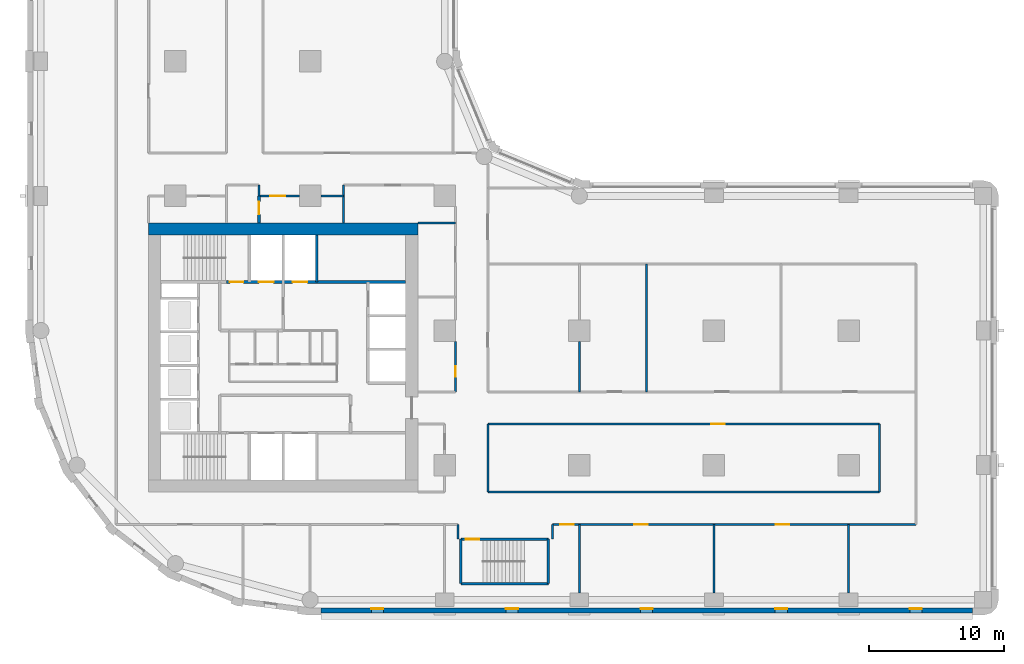
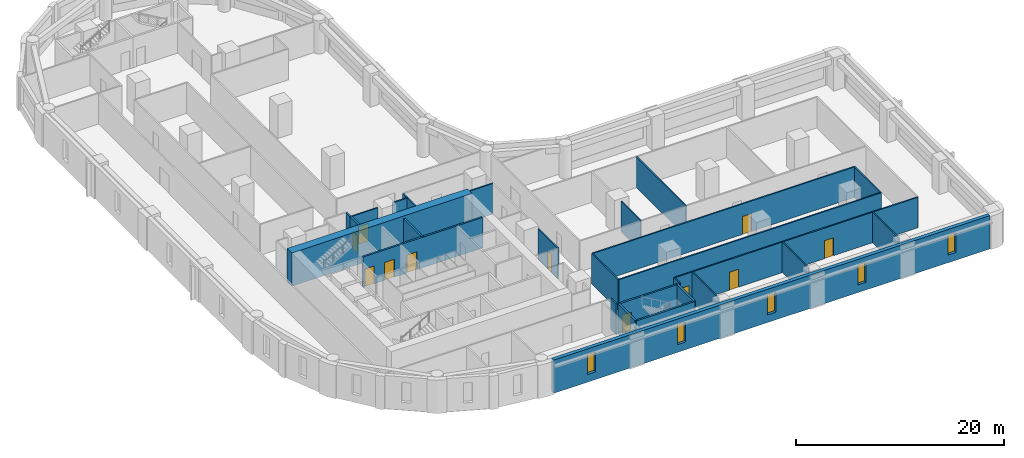
# One storey, part 4 of 11: 27 walls, 11 doors, 5 windows, 16 openings.
"""IFC4 building model written with IfcOpenShell, lengths in metres."""

from ifc_helpers import new_model, si_unit, direction, frame, frame_2d, origin, place, context, subcontext, project, spatial, rectangle, extrude, material, layer, layer_set, type_object, element, fill, save


model = new_model("IFC4")

# Units and contexts
model_context = context("Model", 3, precision=1e-05, world=origin(), true_north=direction((0.0, 1.0)))
body_context = subcontext(model_context, "Body", "Model", "MODEL_VIEW")
ifc_project = project(units=[si_unit("LENGTHUNIT", "METRE"), si_unit("AREAUNIT", "SQUARE_METRE"), si_unit("VOLUMEUNIT", "CUBIC_METRE"), si_unit("PLANEANGLEUNIT", "RADIAN"), si_unit("MASSUNIT", "GRAM", prefix="KILO")], contexts=[model_context])

# Site, building, storey
site_placement = place(None, origin())
site = spatial("IfcSite", under=ifc_project, at=site_placement, CompositionType="ELEMENT")
building_placement = place(site_placement, origin())
building = spatial("IfcBuilding", under=site, at=building_placement, Name="Qaws Garden Tower", CompositionType="ELEMENT")
storey_placement = place(building_placement, frame((0.0, 0.0, 86.10009765625)))
storey = spatial("IfcBuildingStorey", under=building, at=storey_placement, Name="L21", CompositionType="ELEMENT", Elevation=86.10009765625)

# Wall, opening, door
ifc_material_1 = material(Name="Blockwork", Category="masonry")
ifc_layer_1 = layer(ifc_material_1, 0.199951171875)
ifc_layer_set_1 = layer_set([ifc_layer_1], Name="Blockwork")
wall_type_1 = type_object("IfcWallType", Name="BLOCK WALL 200 EI 60", PredefinedType="PARTITIONING", material=ifc_layer_set_1)
wall_1_placement = place(storey_placement, frame((16.199951171875, 28.0, 0.0), z_axis=(0.0, 0.0, 1.0), x_axis=(0.0, 1.0, 0.0)))
wall_1 = element("IfcWall", 1, at=wall_1_placement, inside=storey, type_object=wall_type_1, Name="O-L21-wall-060", PredefinedType="PARTITIONING", context=body_context, shape_type="SweptSolid", body=[
    extrude(rectangle(XDim=2.0, YDim=0.199951171875, at=frame_2d((1.0, 0.0))), origin(), (0.0, 0.0, 1.0), 3.579833984375),
])
opening_1_placement = place(wall_1_placement, frame((0.625, 0.0, 0.0)))
opening_1 = element("IfcOpeningElement", 2, at=opening_1_placement, cuts=wall_1, Name="Opening A726", PredefinedType="OPENING", context=body_context, shape_type="SweptSolid", body=[
    extrude(rectangle(XDim=0.949951171875, YDim=2.10009765625, at=frame_2d((0.47509765625, 1.050048828125))), frame((0.0, 0.10986328125, 0.0), z_axis=(0.0, -1.0, 0.0), x_axis=(1.0, 0.0, 0.0)), (0.0, 0.0, 1.0), 0.219970703125),
])
ifc_material_2 = material(Name="Timber and glass door leaf", Category="wood")
door_type_1 = type_object("IfcDoorType", Name="GLAZED DOOR 950 X 2100", OperationType="SINGLE_SWING_LEFT", PredefinedType="DOOR", material=ifc_material_2)
door_1_placement = place(opening_1_placement, origin())
door_1 = element("IfcDoor", 3, at=door_1_placement, inside=storey, type_object=door_type_1, Name="O-L21-door-026", OperationType="SINGLE_SWING_LEFT", OverallHeight=2.10009765625, OverallWidth=0.949951171875, PredefinedType="DOOR", context=body_context, shape_type="SweptSolid", body=[
    extrude(rectangle(XDim=0.949951171875, YDim=2.10009765625, at=frame_2d((0.47509765625, 1.050048828125))), frame((0.0, 0.02490234375, 0.0), z_axis=(0.0, -1.0, 0.0), x_axis=(1.0, 0.0, 0.0)), (0.0, 0.0, 1.0), 0.050048828125),
])
fill(opening_1, door_1)

# Wall, openings, windows
ifc_material_3 = material(Name="Clay facing brick masonry", Category="masonry")
ifc_layer_2 = layer(ifc_material_3, 0.39990234375)
ifc_layer_set_2 = layer_set([ifc_layer_2], Name="Clay facing brick masonry")
wall_type_2 = type_object("IfcWallType", Name="Brick infill wall 400", PredefinedType="SOLIDWALL", material=ifc_layer_set_2)
wall_2_placement = place(storey_placement, frame((20.800048828125, -0.800048828125, 0.0), z_axis=(0.0, 0.0, 1.0), x_axis=(1.0, 0.0, 0.0)))
wall_2 = element("IfcWall", 4, at=wall_2_placement, inside=storey, type_object=wall_type_2, Name="E-L21-infill-00", PredefinedType="SOLIDWALL", context=body_context, shape_type="SweptSolid", body=[
    extrude(rectangle(XDim=48.39990234375, YDim=0.39990234375, at=frame_2d((24.199951171875, 0.0))), origin(), (0.0, 0.0, 1.0), 3.89990234375),
])
opening_2_placement = place(wall_2_placement, frame((3.75, 0.0, 0.89990234375)))
opening_2 = element("IfcOpeningElement", 5, at=opening_2_placement, cuts=wall_2, Name="Opening W09", PredefinedType="OPENING", context=body_context, shape_type="SweptSolid", body=[
    extrude(rectangle(XDim=0.89990234375, YDim=2.35009765625, at=frame_2d((0.449951171875, 1.175048828125))), frame((0.0, 0.2099609375, 0.0), z_axis=(0.0, -1.0, 0.0), x_axis=(1.0, 0.0, 0.0)), (0.0, 0.0, 1.0), 0.419921875),
])
opening_3_placement = place(wall_2_placement, frame((13.75, 0.0, 0.89990234375)))
opening_3 = element("IfcOpeningElement", 6, at=opening_3_placement, cuts=wall_2, Name="Opening W09", PredefinedType="OPENING", context=body_context, shape_type="SweptSolid", body=[
    extrude(rectangle(XDim=0.89990234375, YDim=2.35009765625, at=frame_2d((0.449951171875, 1.175048828125))), frame((0.0, 0.2099609375, 0.0), z_axis=(0.0, -1.0, 0.0), x_axis=(1.0, 0.0, 0.0)), (0.0, 0.0, 1.0), 0.419921875),
])
opening_4_placement = place(wall_2_placement, frame((23.75, 0.0, 0.89990234375)))
opening_4 = element("IfcOpeningElement", 7, at=opening_4_placement, cuts=wall_2, Name="Opening W09", PredefinedType="OPENING", context=body_context, shape_type="SweptSolid", body=[
    extrude(rectangle(XDim=0.89990234375, YDim=2.35009765625, at=frame_2d((0.449951171875, 1.175048828125))), frame((0.0, 0.2099609375, 0.0), z_axis=(0.0, -1.0, 0.0), x_axis=(1.0, 0.0, 0.0)), (0.0, 0.0, 1.0), 0.419921875),
])
opening_5_placement = place(wall_2_placement, frame((33.75, 0.0, 0.89990234375)))
opening_5 = element("IfcOpeningElement", 8, at=opening_5_placement, cuts=wall_2, Name="Opening W09", PredefinedType="OPENING", context=body_context, shape_type="SweptSolid", body=[
    extrude(rectangle(XDim=0.89990234375, YDim=2.35009765625, at=frame_2d((0.449951171875, 1.175048828125))), frame((0.0, 0.2099609375, 0.0), z_axis=(0.0, -1.0, 0.0), x_axis=(1.0, 0.0, 0.0)), (0.0, 0.0, 1.0), 0.419921875),
])
opening_6_placement = place(wall_2_placement, frame((43.75, 0.0, 0.89990234375)))
opening_6 = element("IfcOpeningElement", 9, at=opening_6_placement, cuts=wall_2, Name="Opening W09", PredefinedType="OPENING", context=body_context, shape_type="SweptSolid", body=[
    extrude(rectangle(XDim=0.89990234375, YDim=2.35009765625, at=frame_2d((0.449951171875, 1.175048828125))), frame((0.0, 0.2099609375, 0.0), z_axis=(0.0, -1.0, 0.0), x_axis=(1.0, 0.0, 0.0)), (0.0, 0.0, 1.0), 0.419921875),
])
ifc_material_4 = material(Name="Aluminium framed window, clear glazing", Category="aluminium")
window_type = type_object("IfcWindowType", Name="Slit window 900 x 2350", PartitioningType="SINGLE_PANEL", PredefinedType="WINDOW", material=ifc_material_4)
window_1_placement = place(opening_2_placement, origin())
window_1 = element("IfcWindow", 10, at=window_1_placement, inside=storey, type_object=window_type, Name="E-L21-window-00-0", OverallHeight=2.35009765625, OverallWidth=0.89990234375, PartitioningType="SINGLE_PANEL", PredefinedType="WINDOW", context=body_context, shape_type="SweptSolid", body=[
    extrude(rectangle(XDim=0.89990234375, YDim=2.35009765625, at=frame_2d((0.449951171875, 1.175048828125))), frame((0.0, 0.159912109375, 0.0), z_axis=(0.0, -1.0, 0.0), x_axis=(1.0, 0.0, 0.0)), (0.0, 0.0, 1.0), 0.06005859375),
])
fill(opening_2, window_1)
window_2_placement = place(opening_3_placement, origin())
window_2 = element("IfcWindow", 11, at=window_2_placement, inside=storey, type_object=window_type, Name="E-L21-window-01-0", OverallHeight=2.35009765625, OverallWidth=0.89990234375, PartitioningType="SINGLE_PANEL", PredefinedType="WINDOW", context=body_context, shape_type="SweptSolid", body=[
    extrude(rectangle(XDim=0.89990234375, YDim=2.35009765625, at=frame_2d((0.449951171875, 1.175048828125))), frame((0.0, 0.159912109375, 0.0), z_axis=(0.0, -1.0, 0.0), x_axis=(1.0, 0.0, 0.0)), (0.0, 0.0, 1.0), 0.06005859375),
])
fill(opening_3, window_2)
window_3_placement = place(opening_4_placement, origin())
window_3 = element("IfcWindow", 12, at=window_3_placement, inside=storey, type_object=window_type, Name="E-L21-window-02-0", OverallHeight=2.35009765625, OverallWidth=0.89990234375, PartitioningType="SINGLE_PANEL", PredefinedType="WINDOW", context=body_context, shape_type="SweptSolid", body=[
    extrude(rectangle(XDim=0.89990234375, YDim=2.35009765625, at=frame_2d((0.449951171875, 1.175048828125))), frame((0.0, 0.159912109375, 0.0), z_axis=(0.0, -1.0, 0.0), x_axis=(1.0, 0.0, 0.0)), (0.0, 0.0, 1.0), 0.06005859375),
])
fill(opening_4, window_3)
window_4_placement = place(opening_5_placement, origin())
window_4 = element("IfcWindow", 13, at=window_4_placement, inside=storey, type_object=window_type, Name="E-L21-window-03-0", OverallHeight=2.35009765625, OverallWidth=0.89990234375, PartitioningType="SINGLE_PANEL", PredefinedType="WINDOW", context=body_context, shape_type="SweptSolid", body=[
    extrude(rectangle(XDim=0.89990234375, YDim=2.35009765625, at=frame_2d((0.449951171875, 1.175048828125))), frame((0.0, 0.159912109375, 0.0), z_axis=(0.0, -1.0, 0.0), x_axis=(1.0, 0.0, 0.0)), (0.0, 0.0, 1.0), 0.06005859375),
])
fill(opening_5, window_4)
window_5_placement = place(opening_6_placement, origin())
window_5 = element("IfcWindow", 14, at=window_5_placement, inside=storey, type_object=window_type, Name="E-L21-window-04-0", OverallHeight=2.35009765625, OverallWidth=0.89990234375, PartitioningType="SINGLE_PANEL", PredefinedType="WINDOW", context=body_context, shape_type="SweptSolid", body=[
    extrude(rectangle(XDim=0.89990234375, YDim=2.35009765625, at=frame_2d((0.449951171875, 1.175048828125))), frame((0.0, 0.159912109375, 0.0), z_axis=(0.0, -1.0, 0.0), x_axis=(1.0, 0.0, 0.0)), (0.0, 0.0, 1.0), 0.06005859375),
])
fill(opening_6, window_5)

# Wall
ifc_material_5 = material(Name="Concrete C80", Category="concrete")
ifc_layer_3 = layer(ifc_material_5, 0.199951171875)
ifc_layer_set_3 = layer_set([ifc_layer_3], Name="Concrete C80")
wall_type_3 = type_object("IfcWallType", Name="Core shaft wall 200 C80", PredefinedType="SHEAR", material=ifc_layer_set_3)
wall_3_placement = place(storey_placement, frame((31.199951171875, 1.199951171875, 0.0), z_axis=(0.0, 0.0, 1.0), x_axis=(1.0, 0.0, 0.0)))
element("IfcWall", 15, at=wall_3_placement, inside=storey, type_object=wall_type_3, Name="Shaft wall", PredefinedType="SHEAR", context=body_context, shape_type="SweptSolid", body=[
    extrude(rectangle(XDim=6.5, YDim=0.199951171875, at=frame_2d((3.25, 0.0))), origin(), (0.0, 0.0, 1.0), 3.579833984375),
])

# Wall, opening, door
wall_4_placement = place(storey_placement, frame((31.199951171875, 4.5, 0.0), z_axis=(0.0, 0.0, 1.0), x_axis=(1.0, 0.0, 0.0)))
wall_4 = element("IfcWall", 16, at=wall_4_placement, inside=storey, type_object=wall_type_3, Name="Shaft wall", PredefinedType="SHEAR", context=body_context, shape_type="SweptSolid", body=[
    extrude(rectangle(XDim=6.5, YDim=0.199951171875, at=frame_2d((3.25, 0.0))), origin(), (0.0, 0.0, 1.0), 3.579833984375),
])
opening_7_placement = place(wall_4_placement, frame((0.375, 0.0, 0.0)))
opening_7 = element("IfcOpeningElement", 17, at=opening_7_placement, cuts=wall_4, Name="Opening SD12", PredefinedType="OPENING", context=body_context, shape_type="SweptSolid", body=[
    extrude(rectangle(XDim=1.0, YDim=2.10009765625, at=frame_2d((0.5, 1.050048828125))), frame((0.0, 0.10986328125, 0.0), z_axis=(0.0, -1.0, 0.0), x_axis=(1.0, 0.0, 0.0)), (0.0, 0.0, 1.0), 0.219970703125),
])
ifc_material_6 = material(Name="Steel S235", Category="steel")
door_type_2 = type_object("IfcDoorType", Name="Stair door 1000x2100", OperationType="SINGLE_SWING_RIGHT", PredefinedType="DOOR", material=ifc_material_6)
door_2_placement = place(opening_7_placement, frame((1.0, 0.0, 0.0), z_axis=(0.0, 0.0, 1.0), x_axis=(-1.0, 0.0, 0.0)))
door_2 = element("IfcDoor", 18, at=door_2_placement, inside=storey, type_object=door_type_2, Name="Stair 5 door", OperationType="SINGLE_SWING_RIGHT", OverallHeight=2.10009765625, OverallWidth=1.0, PredefinedType="DOOR", context=body_context, shape_type="SweptSolid", body=[
    extrude(rectangle(XDim=1.0, YDim=2.10009765625, at=frame_2d((0.5, 1.050048828125))), frame((0.0, 0.02490234375, 0.0), z_axis=(0.0, -1.0, 0.0), x_axis=(1.0, 0.0, 0.0)), (0.0, 0.0, 1.0), 0.050048828125),
])
fill(opening_7, door_2)

# Wall, openings, doors
wall_5_placement = place(storey_placement, frame((13.800048828125, 23.60009765625, 0.0), z_axis=(0.0, 0.0, 1.0), x_axis=(1.0, 0.0, 0.0)))
wall_5 = element("IfcWall", 19, at=wall_5_placement, inside=storey, type_object=wall_type_3, Name="Shaft wall", PredefinedType="SHEAR", context=body_context, shape_type="SweptSolid", body=[
    extrude(rectangle(XDim=13.300048828125, YDim=0.199951171875, at=frame_2d((6.64990234375, 0.0))), origin(), (0.0, 0.0, 1.0), 3.579833984375),
])
opening_8_placement = place(wall_5_placement, frame((2.39990234375, 0.0, 0.0)))
opening_8 = element("IfcOpeningElement", 20, at=opening_8_placement, cuts=wall_5, Name="Opening LD08", PredefinedType="OPENING", context=body_context, shape_type="SweptSolid", body=[
    extrude(rectangle(XDim=1.10009765625, YDim=2.10009765625, at=frame_2d((0.550048828125, 1.050048828125))), frame((0.0, 0.10986328125, 0.0), z_axis=(0.0, -1.0, 0.0), x_axis=(1.0, 0.0, 0.0)), (0.0, 0.0, 1.0), 0.219970703125),
])
opening_9_placement = place(wall_5_placement, frame((4.89990234375, 0.0, 0.0)))
opening_9 = element("IfcOpeningElement", 21, at=opening_9_placement, cuts=wall_5, Name="Opening LD09", PredefinedType="OPENING", context=body_context, shape_type="SweptSolid", body=[
    extrude(rectangle(XDim=1.10009765625, YDim=2.10009765625, at=frame_2d((0.550048828125, 1.050048828125))), frame((0.0, 0.10986328125, 0.0), z_axis=(0.0, -1.0, 0.0), x_axis=(1.0, 0.0, 0.0)), (0.0, 0.0, 1.0), 0.219970703125),
])
opening_10_placement = place(wall_5_placement, frame((0.25, 0.0, 0.0)))
opening_10 = element("IfcOpeningElement", 22, at=opening_10_placement, cuts=wall_5, Name="Opening SD11", PredefinedType="OPENING", context=body_context, shape_type="SweptSolid", body=[
    extrude(rectangle(XDim=1.0, YDim=2.10009765625, at=frame_2d((0.5, 1.050048828125))), frame((0.0, 0.10986328125, 0.0), z_axis=(0.0, -1.0, 0.0), x_axis=(1.0, 0.0, 0.0)), (0.0, 0.0, 1.0), 0.219970703125),
])
ifc_material_7 = material(Name="Steel S235", Category="steel")
door_type_3 = type_object("IfcDoorType", Name="Landing door 1100x2100", OperationType="DOUBLE_DOOR_SLIDING", PredefinedType="DOOR", material=ifc_material_7)
door_3_placement = place(opening_8_placement, origin())
door_3 = element("IfcDoor", 23, at=door_3_placement, inside=storey, type_object=door_type_3, Name="Lift FF3 landing door", OperationType="DOUBLE_DOOR_SLIDING", OverallHeight=2.10009765625, OverallWidth=1.10009765625, PredefinedType="DOOR", context=body_context, shape_type="SweptSolid", body=[
    extrude(rectangle(XDim=1.10009765625, YDim=2.10009765625, at=frame_2d((0.550048828125, 1.050048828125))), frame((0.0, 0.02490234375, 0.0), z_axis=(0.0, -1.0, 0.0), x_axis=(1.0, 0.0, 0.0)), (0.0, 0.0, 1.0), 0.050048828125),
])
fill(opening_8, door_3)
door_4_placement = place(opening_9_placement, origin())
door_4 = element("IfcDoor", 24, at=door_4_placement, inside=storey, type_object=door_type_3, Name="Lift SV2 landing door", OperationType="DOUBLE_DOOR_SLIDING", OverallHeight=2.10009765625, OverallWidth=1.10009765625, PredefinedType="DOOR", context=body_context, shape_type="SweptSolid", body=[
    extrude(rectangle(XDim=1.10009765625, YDim=2.10009765625, at=frame_2d((0.550048828125, 1.050048828125))), frame((0.0, 0.02490234375, 0.0), z_axis=(0.0, -1.0, 0.0), x_axis=(1.0, 0.0, 0.0)), (0.0, 0.0, 1.0), 0.050048828125),
])
fill(opening_9, door_4)
door_5_placement = place(opening_10_placement, origin())
door_5 = element("IfcDoor", 25, at=door_5_placement, inside=storey, type_object=door_type_2, Name="Stair 4 door", OperationType="SINGLE_SWING_RIGHT", OverallHeight=2.10009765625, OverallWidth=1.0, PredefinedType="DOOR", context=body_context, shape_type="SweptSolid", body=[
    extrude(rectangle(XDim=1.0, YDim=2.10009765625, at=frame_2d((0.5, 1.050048828125))), frame((0.0, 0.02490234375, 0.0), z_axis=(0.0, -1.0, 0.0), x_axis=(1.0, 0.0, 0.0)), (0.0, 0.0, 1.0), 0.050048828125),
])
fill(opening_10, door_5)

# Walls
wall_6_placement = place(storey_placement, frame((20.5, 23.60009765625, 0.0), z_axis=(0.0, 0.0, 1.0), x_axis=(0.0, 1.0, 0.0)))
element("IfcWall", 26, at=wall_6_placement, inside=storey, type_object=wall_type_3, Name="Shaft wall", PredefinedType="SHEAR", context=body_context, shape_type="SweptSolid", body=[
    extrude(rectangle(XDim=3.5, YDim=0.199951171875, at=frame_2d((1.75, 0.0))), origin(), (0.0, 0.0, 1.0), 3.579833984375),
])
for number, where, z_axis, x_axis, name in (
    (27, (31.199951171875, 1.199951171875, 0.0), (0.0, 0.0, 1.0), (0.0, 1.0, 0.0), "Shaft wall"),
    (28, (37.699951171875, 1.199951171875, 0.0), (0.0, 0.0, 1.0), (0.0, 1.0, 0.0), "Shaft wall"),
):
    element("IfcWall", number, at=place(storey_placement, frame(where, z_axis=z_axis, x_axis=x_axis)), inside=storey, type_object=wall_type_3, Name=name, PredefinedType="SHEAR", context=body_context, shape_type="SweptSolid", body=[
        extrude(rectangle(XDim=3.300048828125, YDim=0.199951171875, at=frame_2d((1.64990234375, 0.0))), origin(), (0.0, 0.0, 1.0), 3.579833984375),
    ])
ifc_material_8 = material(Name="Concrete C80", Category="concrete")
ifc_layer_4 = layer(ifc_material_8, 0.89990234375)
ifc_layer_set_4 = layer_set([ifc_layer_4], Name="Concrete C80")
wall_type_4 = type_object("IfcWallType", Name="Core wall 900 C80", PredefinedType="SHEAR", material=ifc_layer_set_4)
wall_7_placement = place(storey_placement, frame((28.0, 27.550048828125, 0.0), z_axis=(0.0, 0.0, 1.0), x_axis=(-1.0, 0.0, 0.0)))
element("IfcWall", 29, at=wall_7_placement, inside=storey, type_object=wall_type_4, Name="Core wall L21 north", PredefinedType="SHEAR", context=body_context, shape_type="SweptSolid", body=[
    extrude(rectangle(XDim=20.0, YDim=0.89990234375, at=frame_2d((10.0, 0.0))), origin(), (0.0, 0.0, 1.0), 3.89990234375),
])
ifc_material_9 = material(Name="Gypsum board partition")
ifc_layer_5 = layer(ifc_material_9, 0.14990234375)
ifc_layer_set_5 = layer_set([ifc_layer_5], Name="Gypsum board partition")
wall_type_5 = type_object("IfcWallType", Name="PARTITION 150 EI 60", PredefinedType="PARTITIONING", material=ifc_layer_set_5)
wall_8_placement = place(storey_placement, frame((16.199951171875, 30.0, 0.0), z_axis=(0.0, 0.0, 1.0), x_axis=(0.0, 1.0, 0.0)))
element("IfcWall", 30, at=wall_8_placement, inside=storey, type_object=wall_type_5, Name="O-L21-wall-008", PredefinedType="PARTITIONING", context=body_context, shape_type="SweptSolid", body=[
    extrude(rectangle(XDim=0.800048828125, YDim=0.14990234375, at=frame_2d((0.39990234375, 0.0))), origin(), (0.0, 0.0, 1.0), 3.579833984375),
])
wall_9_placement = place(storey_placement, frame((22.5, 28.0, 0.0), z_axis=(0.0, 0.0, 1.0), x_axis=(0.0, 1.0, 0.0)))
element("IfcWall", 31, at=wall_9_placement, inside=storey, type_object=wall_type_5, Name="O-L21-wall-012", PredefinedType="PARTITIONING", context=body_context, shape_type="SweptSolid", body=[
    extrude(rectangle(XDim=2.800048828125, YDim=0.14990234375, at=frame_2d((1.39990234375, 0.0))), origin(), (0.0, 0.0, 1.0), 3.579833984375),
])

# Wall, opening, door
wall_10_placement = place(storey_placement, frame((30.800048828125, 15.449951171875, 0.0), z_axis=(0.0, 0.0, 1.0), x_axis=(0.0, 1.0, 0.0)))
wall_10 = element("IfcWall", 32, at=wall_10_placement, inside=storey, type_object=wall_type_5, Name="O-L21-wall-018", PredefinedType="PARTITIONING", context=body_context, shape_type="SweptSolid", body=[
    extrude(rectangle(XDim=3.75, YDim=0.14990234375, at=frame_2d((1.875, 0.0))), origin(), (0.0, 0.0, 1.0), 3.579833984375),
])
opening_11_placement = place(wall_10_placement, frame((1.10009765625, 0.0, 0.0)))
opening_11 = element("IfcOpeningElement", 33, at=opening_11_placement, cuts=wall_10, Name="Opening A707", PredefinedType="OPENING", context=body_context, shape_type="SweptSolid", body=[
    extrude(rectangle(XDim=0.800048828125, YDim=2.10009765625, at=frame_2d((0.39990234375, 1.050048828125))), frame((0.0, 0.0849609375, 0.0), z_axis=(0.0, -1.0, 0.0), x_axis=(1.0, 0.0, 0.0)), (0.0, 0.0, 1.0), 0.169921875),
])
ifc_material_10 = material(Name="Timber door leaf", Category="wood")
door_type_4 = type_object("IfcDoorType", Name="STORE DOOR 800 X 2100", OperationType="SINGLE_SWING_LEFT", PredefinedType="DOOR", material=ifc_material_10)
door_6_placement = place(opening_11_placement, origin())
door_6 = element("IfcDoor", 34, at=door_6_placement, inside=storey, type_object=door_type_4, Name="O-L21-door-007", OperationType="SINGLE_SWING_LEFT", OverallHeight=2.10009765625, OverallWidth=0.800048828125, PredefinedType="DOOR", context=body_context, shape_type="SweptSolid", body=[
    extrude(rectangle(XDim=0.800048828125, YDim=2.10009765625, at=frame_2d((0.39990234375, 1.050048828125))), frame((0.0, 0.02490234375, 0.0), z_axis=(0.0, -1.0, 0.0), x_axis=(1.0, 0.0, 0.0)), (0.0, 0.0, 1.0), 0.050048828125),
])
fill(opening_11, door_6)

# Walls
wall_11_placement = place(storey_placement, frame((31.0, 4.5, 0.0), z_axis=(0.0, 0.0, 1.0), x_axis=(0.0, 1.0, 0.0)))
element("IfcWall", 35, at=wall_11_placement, inside=storey, type_object=wall_type_5, Name="O-L21-wall-020", PredefinedType="PARTITIONING", context=body_context, shape_type="SweptSolid", body=[
    extrude(rectangle(XDim=1.10009765625, YDim=0.14990234375, at=frame_2d((0.550048828125, 0.0))), origin(), (0.0, 0.0, 1.0), 3.579833984375),
])
wall_12_placement = place(storey_placement, frame((33.199951171875, 8.0, 0.0), z_axis=(0.0, 0.0, 1.0), x_axis=(0.0, 1.0, 0.0)))
element("IfcWall", 36, at=wall_12_placement, inside=storey, type_object=wall_type_5, Name="O-L21-wall-021", PredefinedType="PARTITIONING", context=body_context, shape_type="SweptSolid", body=[
    extrude(rectangle(XDim=5.050048828125, YDim=0.14990234375, at=frame_2d((2.52490234375, 0.0))), origin(), (0.0, 0.0, 1.0), 3.579833984375),
])
wall_13_placement = place(storey_placement, frame((38.0, 4.5, 0.0), z_axis=(0.0, 0.0, 1.0), x_axis=(0.0, 1.0, 0.0)))
element("IfcWall", 37, at=wall_13_placement, inside=storey, type_object=wall_type_5, Name="O-L21-wall-023", PredefinedType="PARTITIONING", context=body_context, shape_type="SweptSolid", body=[
    extrude(rectangle(XDim=1.10009765625, YDim=0.14990234375, at=frame_2d((0.550048828125, 0.0))), origin(), (0.0, 0.0, 1.0), 3.579833984375),
])
wall_14_placement = place(storey_placement, frame((40.0, 0.5, 0.0), z_axis=(0.0, 0.0, 1.0), x_axis=(0.0, 1.0, 0.0)))
element("IfcWall", 38, at=wall_14_placement, inside=storey, type_object=wall_type_5, Name="O-L21-wall-024", PredefinedType="PARTITIONING", context=body_context, shape_type="SweptSolid", body=[
    extrude(rectangle(XDim=5.10009765625, YDim=0.14990234375, at=frame_2d((2.550048828125, 0.0))), origin(), (0.0, 0.0, 1.0), 3.579833984375),
])
wall_15_placement = place(storey_placement, frame((40.0, 15.449951171875, 0.0), z_axis=(0.0, 0.0, 1.0), x_axis=(0.0, 1.0, 0.0)))
element("IfcWall", 39, at=wall_15_placement, inside=storey, type_object=wall_type_5, Name="O-L21-wall-025", PredefinedType="PARTITIONING", context=body_context, shape_type="SweptSolid", body=[
    extrude(rectangle(XDim=3.75, YDim=0.14990234375, at=frame_2d((1.875, 0.0))), origin(), (0.0, 0.0, 1.0), 3.579833984375),
])
wall_16_placement = place(storey_placement, frame((45.0, 15.449951171875, 0.0), z_axis=(0.0, 0.0, 1.0), x_axis=(0.0, 1.0, 0.0)))
element("IfcWall", 40, at=wall_16_placement, inside=storey, type_object=wall_type_5, Name="O-L21-wall-027", PredefinedType="PARTITIONING", context=body_context, shape_type="SweptSolid", body=[
    extrude(rectangle(XDim=9.5, YDim=0.14990234375, at=frame_2d((4.75, 0.0))), origin(), (0.0, 0.0, 1.0), 3.579833984375),
])
for number, where, z_axis, x_axis, name in (
    (41, (50.0, 0.5, 0.0), (0.0, 0.0, 1.0), (0.0, 1.0, 0.0), "O-L21-wall-028"),
    (42, (60.0, 0.5, 0.0), (0.0, 0.0, 1.0), (0.0, 1.0, 0.0), "O-L21-wall-030"),
):
    element("IfcWall", number, at=place(storey_placement, frame(where, z_axis=z_axis, x_axis=x_axis)), inside=storey, type_object=wall_type_5, Name=name, PredefinedType="PARTITIONING", context=body_context, shape_type="SweptSolid", body=[
        extrude(rectangle(XDim=5.10009765625, YDim=0.14990234375, at=frame_2d((2.550048828125, 0.0))), origin(), (0.0, 0.0, 1.0), 3.579833984375),
    ])
wall_17_placement = place(storey_placement, frame((62.300048828125, 8.0, 0.0), z_axis=(0.0, 0.0, 1.0), x_axis=(0.0, 1.0, 0.0)))
element("IfcWall", 43, at=wall_17_placement, inside=storey, type_object=wall_type_5, Name="O-L21-wall-031", PredefinedType="PARTITIONING", context=body_context, shape_type="SweptSolid", body=[
    extrude(rectangle(XDim=5.050048828125, YDim=0.14990234375, at=frame_2d((2.52490234375, 0.0))), origin(), (0.0, 0.0, 1.0), 3.579833984375),
])

# Wall, openings, doors
wall_18_placement = place(storey_placement, frame((38.0, 5.60009765625, 0.0), z_axis=(0.0, 0.0, 1.0), x_axis=(1.0, 0.0, 0.0)))
wall_18 = element("IfcWall", 44, at=wall_18_placement, inside=storey, type_object=wall_type_5, Name="O-L21-wall-034", PredefinedType="PARTITIONING", context=body_context, shape_type="SweptSolid", body=[
    extrude(rectangle(XDim=27.0, YDim=0.14990234375, at=frame_2d((13.5, 0.0))), origin(), (0.0, 0.0, 1.0), 3.579833984375),
])
opening_12_placement = place(wall_18_placement, frame((0.60009765625, 0.0, 0.0)))
opening_12 = element("IfcOpeningElement", 45, at=opening_12_placement, cuts=wall_18, Name="Opening A720", PredefinedType="OPENING", context=body_context, shape_type="SweptSolid", body=[
    extrude(rectangle(XDim=1.0, YDim=2.10009765625, at=frame_2d((0.5, 1.050048828125))), frame((0.0, 0.0849609375, 0.0), z_axis=(0.0, -1.0, 0.0), x_axis=(1.0, 0.0, 0.0)), (0.0, 0.0, 1.0), 0.169921875),
])
opening_13_placement = place(wall_18_placement, frame((6.10009765625, 0.0, 0.0)))
opening_13 = element("IfcOpeningElement", 46, at=opening_13_placement, cuts=wall_18, Name="Opening A721", PredefinedType="OPENING", context=body_context, shape_type="SweptSolid", body=[
    extrude(rectangle(XDim=1.0, YDim=2.10009765625, at=frame_2d((0.5, 1.050048828125))), frame((0.0, 0.0849609375, 0.0), z_axis=(0.0, -1.0, 0.0), x_axis=(1.0, 0.0, 0.0)), (0.0, 0.0, 1.0), 0.169921875),
])
opening_14_placement = place(wall_18_placement, frame((16.60009765625, 0.0, 0.0)))
opening_14 = element("IfcOpeningElement", 47, at=opening_14_placement, cuts=wall_18, Name="Opening A722", PredefinedType="OPENING", context=body_context, shape_type="SweptSolid", body=[
    extrude(rectangle(XDim=1.0, YDim=2.10009765625, at=frame_2d((0.5, 1.050048828125))), frame((0.0, 0.0849609375, 0.0), z_axis=(0.0, -1.0, 0.0), x_axis=(1.0, 0.0, 0.0)), (0.0, 0.0, 1.0), 0.169921875),
])
ifc_material_11 = material(Name="Timber door leaf", Category="wood")
door_type_5 = type_object("IfcDoorType", Name="TENANCY ENTRANCE DOOR 1000 X 2100", OperationType="SINGLE_SWING_LEFT", PredefinedType="DOOR", material=ifc_material_11)
door_7_placement = place(opening_12_placement, frame((1.0, 0.0, 0.0), z_axis=(0.0, 0.0, 1.0), x_axis=(-1.0, 0.0, 0.0)))
door_7 = element("IfcDoor", 48, at=door_7_placement, inside=storey, type_object=door_type_5, Name="O-L21-door-020", OperationType="SINGLE_SWING_LEFT", OverallHeight=2.10009765625, OverallWidth=1.0, PredefinedType="DOOR", context=body_context, shape_type="SweptSolid", body=[
    extrude(rectangle(XDim=1.0, YDim=2.10009765625, at=frame_2d((0.5, 1.050048828125))), frame((0.0, 0.02490234375, 0.0), z_axis=(0.0, -1.0, 0.0), x_axis=(1.0, 0.0, 0.0)), (0.0, 0.0, 1.0), 0.050048828125),
])
fill(opening_12, door_7)
door_8_placement = place(opening_13_placement, frame((1.0, 0.0, 0.0), z_axis=(0.0, 0.0, 1.0), x_axis=(-1.0, 0.0, 0.0)))
door_8 = element("IfcDoor", 49, at=door_8_placement, inside=storey, type_object=door_type_5, Name="O-L21-door-021", OperationType="SINGLE_SWING_RIGHT", OverallHeight=2.10009765625, OverallWidth=1.0, PredefinedType="DOOR", context=body_context, shape_type="SweptSolid", body=[
    extrude(rectangle(XDim=1.0, YDim=2.10009765625, at=frame_2d((0.5, 1.050048828125))), frame((0.0, 0.02490234375, 0.0), z_axis=(0.0, -1.0, 0.0), x_axis=(1.0, 0.0, 0.0)), (0.0, 0.0, 1.0), 0.050048828125),
])
fill(opening_13, door_8)
door_9_placement = place(opening_14_placement, frame((1.0, 0.0, 0.0), z_axis=(0.0, 0.0, 1.0), x_axis=(-1.0, 0.0, 0.0)))
door_9 = element("IfcDoor", 50, at=door_9_placement, inside=storey, type_object=door_type_5, Name="O-L21-door-022", OperationType="SINGLE_SWING_RIGHT", OverallHeight=2.10009765625, OverallWidth=1.0, PredefinedType="DOOR", context=body_context, shape_type="SweptSolid", body=[
    extrude(rectangle(XDim=1.0, YDim=2.10009765625, at=frame_2d((0.5, 1.050048828125))), frame((0.0, 0.02490234375, 0.0), z_axis=(0.0, -1.0, 0.0), x_axis=(1.0, 0.0, 0.0)), (0.0, 0.0, 1.0), 0.050048828125),
])
fill(opening_14, door_9)

# Wall
wall_19_placement = place(storey_placement, frame((33.199951171875, 8.0, 0.0), z_axis=(0.0, 0.0, 1.0), x_axis=(1.0, 0.0, 0.0)))
element("IfcWall", 51, at=wall_19_placement, inside=storey, type_object=wall_type_5, Name="O-L21-wall-036", PredefinedType="PARTITIONING", context=body_context, shape_type="SweptSolid", body=[
    extrude(rectangle(XDim=29.10009765625, YDim=0.14990234375, at=frame_2d((14.550048828125, 0.0))), origin(), (0.0, 0.0, 1.0), 3.579833984375),
])

# Wall, opening, door
wall_20_placement = place(storey_placement, frame((33.199951171875, 13.050048828125, 0.0), z_axis=(0.0, 0.0, 1.0), x_axis=(1.0, 0.0, 0.0)))
wall_20 = element("IfcWall", 52, at=wall_20_placement, inside=storey, type_object=wall_type_5, Name="O-L21-wall-038", PredefinedType="PARTITIONING", context=body_context, shape_type="SweptSolid", body=[
    extrude(rectangle(XDim=29.10009765625, YDim=0.14990234375, at=frame_2d((14.550048828125, 0.0))), origin(), (0.0, 0.0, 1.0), 3.579833984375),
])
opening_15_placement = place(wall_20_placement, frame((16.60009765625, 0.0, 0.0)))
opening_15 = element("IfcOpeningElement", 53, at=opening_15_placement, cuts=wall_20, Name="Opening A723", PredefinedType="OPENING", context=body_context, shape_type="SweptSolid", body=[
    extrude(rectangle(XDim=1.0, YDim=2.10009765625, at=frame_2d((0.5, 1.050048828125))), frame((0.0, 0.0849609375, 0.0), z_axis=(0.0, -1.0, 0.0), x_axis=(1.0, 0.0, 0.0)), (0.0, 0.0, 1.0), 0.169921875),
])
door_10_placement = place(opening_15_placement, frame((1.0, 0.0, 0.0), z_axis=(0.0, 0.0, 1.0), x_axis=(-1.0, 0.0, 0.0)))
door_10 = element("IfcDoor", 54, at=door_10_placement, inside=storey, type_object=door_type_5, Name="O-L21-door-023", OperationType="SINGLE_SWING_RIGHT", OverallHeight=2.10009765625, OverallWidth=1.0, PredefinedType="DOOR", context=body_context, shape_type="SweptSolid", body=[
    extrude(rectangle(XDim=1.0, YDim=2.10009765625, at=frame_2d((0.5, 1.050048828125))), frame((0.0, 0.02490234375, 0.0), z_axis=(0.0, -1.0, 0.0), x_axis=(1.0, 0.0, 0.0)), (0.0, 0.0, 1.0), 0.050048828125),
])
fill(opening_15, door_10)

# Wall
wall_21_placement = place(storey_placement, frame((28.0, 28.0, 0.0), z_axis=(0.0, 0.0, 1.0), x_axis=(1.0, 0.0, 0.0)))
element("IfcWall", 55, at=wall_21_placement, inside=storey, type_object=wall_type_5, Name="O-L21-wall-043", PredefinedType="PARTITIONING", context=body_context, shape_type="SweptSolid", body=[
    extrude(rectangle(XDim=2.800048828125, YDim=0.14990234375, at=frame_2d((1.39990234375, 0.0))), origin(), (0.0, 0.0, 1.0), 3.579833984375),
])

# Wall, opening, door
wall_22_placement = place(storey_placement, frame((16.199951171875, 30.0, 0.0), z_axis=(0.0, 0.0, 1.0), x_axis=(1.0, 0.0, 0.0)))
wall_22 = element("IfcWall", 56, at=wall_22_placement, inside=storey, type_object=wall_type_5, Name="O-L21-wall-046", PredefinedType="PARTITIONING", context=body_context, shape_type="SweptSolid", body=[
    extrude(rectangle(XDim=3.0, YDim=0.14990234375, at=frame_2d((1.5, 0.0))), origin(), (0.0, 0.0, 1.0), 3.579833984375),
])
opening_16_placement = place(wall_22_placement, frame((0.85009765625, 0.0, 0.0)))
opening_16 = element("IfcOpeningElement", 57, at=opening_16_placement, cuts=wall_22, Name="Opening A710", PredefinedType="OPENING", context=body_context, shape_type="SweptSolid", body=[
    extrude(rectangle(XDim=1.10009765625, YDim=2.10009765625, at=frame_2d((0.550048828125, 1.050048828125))), frame((0.0, 0.0849609375, 0.0), z_axis=(0.0, -1.0, 0.0), x_axis=(1.0, 0.0, 0.0)), (0.0, 0.0, 1.0), 0.169921875),
])
ifc_material_12 = material(Name="Timber door leaf", Category="wood")
door_type_6 = type_object("IfcDoorType", Name="SERVICE ROOM DOOR 1100 X 2100", OperationType="SINGLE_SWING_LEFT", PredefinedType="DOOR", material=ifc_material_12)
door_11_placement = place(opening_16_placement, frame((1.10009765625, 0.0, 0.0), z_axis=(0.0, 0.0, 1.0), x_axis=(-1.0, 0.0, 0.0)))
door_11 = element("IfcDoor", 58, at=door_11_placement, inside=storey, type_object=door_type_6, Name="O-L21-door-010", OperationType="SINGLE_SWING_RIGHT", OverallHeight=2.10009765625, OverallWidth=1.10009765625, PredefinedType="DOOR", context=body_context, shape_type="SweptSolid", body=[
    extrude(rectangle(XDim=1.10009765625, YDim=2.10009765625, at=frame_2d((0.550048828125, 1.050048828125))), frame((0.0, 0.02490234375, 0.0), z_axis=(0.0, -1.0, 0.0), x_axis=(1.0, 0.0, 0.0)), (0.0, 0.0, 1.0), 0.050048828125),
])
fill(opening_16, door_11)

# Wall
wall_23_placement = place(storey_placement, frame((20.800048828125, 30.0, 0.0), z_axis=(0.0, 0.0, 1.0), x_axis=(1.0, 0.0, 0.0)))
element("IfcWall", 59, at=wall_23_placement, inside=storey, type_object=wall_type_5, Name="O-L21-wall-047", PredefinedType="PARTITIONING", context=body_context, shape_type="SweptSolid", body=[
    extrude(rectangle(XDim=1.699951171875, YDim=0.14990234375, at=frame_2d((0.85009765625, 0.0))), origin(), (0.0, 0.0, 1.0), 3.579833984375),
])

save(model, "model.ifc")
